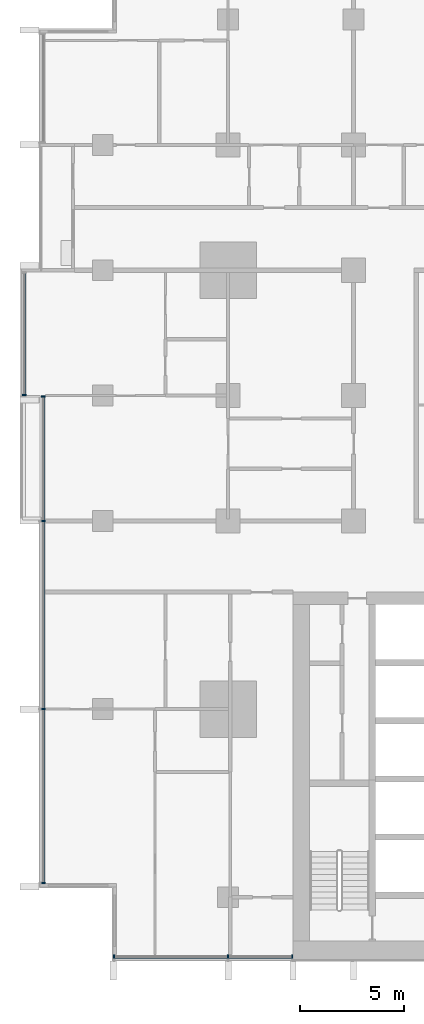
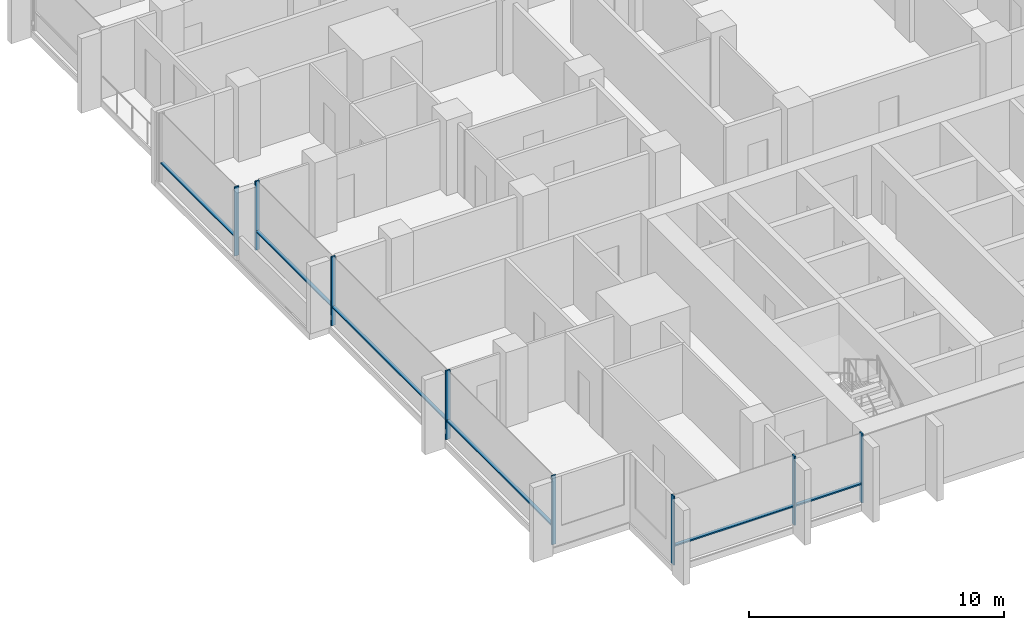
# One storey, part 2 of 18: 14 members, 3 elements without a shape of their own.
"""IFC4 building model written with IfcOpenShell, lengths in metres."""

from ifc_helpers import new_model, si_unit, direction, frame, origin, origin_2d, place, context, subcontext, project, spatial, rectangle, extrude, material, material_profile, profile_set, type_object, element, aggregate, save


model = new_model("IFC4")

# Units and contexts
model_context = context("Model", 3, precision=1e-05, world=origin(), true_north=direction((0.0, 1.0)))
body_context = subcontext(model_context, "Body", "Model", "MODEL_VIEW")
ifc_project = project(units=[si_unit("LENGTHUNIT", "METRE"), si_unit("AREAUNIT", "SQUARE_METRE"), si_unit("VOLUMEUNIT", "CUBIC_METRE"), si_unit("PLANEANGLEUNIT", "RADIAN"), si_unit("MASSUNIT", "GRAM", prefix="KILO")], contexts=[model_context])

# Site, building, storey
site_placement = place(None, origin())
site = spatial("IfcSite", under=ifc_project, at=site_placement, CompositionType="ELEMENT")
building_placement = place(site_placement, origin())
building = spatial("IfcBuilding", under=site, at=building_placement, Name="Finial Court Residences", CompositionType="ELEMENT")
storey_placement = place(building_placement, frame((0.0, 0.0, 109.89990234375)))
storey = spatial("IfcBuildingStorey", under=building, at=storey_placement, Name="L27", CompositionType="ELEMENT", Elevation=109.89990234375)

# Curtain wall, members
ifc_material = material(Name="Bronze anodised aluminium", Category="aluminium")
curtain_wall_type = type_object("IfcCurtainWallType", Name="Unitised curtain wall, lower and middle zones", PredefinedType="NOTDEFINED", material=ifc_material)
curtain_wall_1_placement = place(storey_placement, origin())
curtain_wall_1 = element("IfcCurtainWall", 1, at=curtain_wall_1_placement, inside=storey, type_object=curtain_wall_type, Name="E-L27-CW-S7", PredefinedType="NOTDEFINED")
ifc_material_profile_1 = material_profile(ifc_material, rectangle(XDim=0.199951171875, YDim=0.06494140625, at=origin_2d()), Name="CW1 mullion 65 x 200")
ifc_profile_set_1 = profile_set([ifc_material_profile_1], Name="Bronze anodised aluminium")
member_type_1 = type_object("IfcMemberType", Name="CW1 mullion 65 x 200", PredefinedType="MULLION", material=ifc_profile_set_1)
member_1_placement = place(storey_placement, frame((-21.967529296875, -25.35009765625, 0.0), z_axis=(0.0, 0.0, 1.0), x_axis=(0.0, 1.0, 0.0)))
member_1 = element("IfcMember", 2, at=member_1_placement, type_object=member_type_1, Name="CW1 mullion 1", PredefinedType="MULLION", context=body_context, shape_type="SweptSolid", body=[
    extrude(rectangle(XDim=0.199951171875, YDim=0.06494140625, at=origin_2d()), origin(), (0.0, 0.0, 1.0), 3.300048828125),
])
member_2_placement = place(storey_placement, frame((-16.5, -25.35009765625, 0.0), z_axis=(0.0, 0.0, 1.0), x_axis=(0.0, 1.0, 0.0)))
member_2 = element("IfcMember", 3, at=member_2_placement, type_object=member_type_1, Name="CW1 mullion 2", PredefinedType="MULLION", context=body_context, shape_type="SweptSolid", body=[
    extrude(rectangle(XDim=0.199951171875, YDim=0.06494140625, at=origin_2d()), origin(), (0.0, 0.0, 1.0), 3.300048828125),
])
member_3_placement = place(storey_placement, frame((-13.4326171875, -25.35009765625, 0.0), z_axis=(0.0, 0.0, 1.0), x_axis=(0.0, 1.0, 0.0)))
member_3 = element("IfcMember", 4, at=member_3_placement, type_object=member_type_1, Name="CW1 mullion 3", PredefinedType="MULLION", context=body_context, shape_type="SweptSolid", body=[
    extrude(rectangle(XDim=0.199951171875, YDim=0.06494140625, at=origin_2d()), origin(), (0.0, 0.0, 1.0), 3.300048828125),
])

curtain_wall_2_placement = place(storey_placement, origin())
curtain_wall_2 = element("IfcCurtainWall", 5, at=curtain_wall_2_placement, inside=storey, type_object=curtain_wall_type, Name="E-L27-CW-W9", PredefinedType="NOTDEFINED")
member_4_placement = place(storey_placement, frame((-25.35009765625, -21.8173828125, 0.0), z_axis=(0.0, 0.0, 1.0), x_axis=(-1.0, 0.0, 0.0)))
member_4 = element("IfcMember", 6, at=member_4_placement, type_object=member_type_1, Name="CW1 mullion 1", PredefinedType="MULLION", context=body_context, shape_type="SweptSolid", body=[
    extrude(rectangle(XDim=0.199951171875, YDim=0.06494140625, at=origin_2d()), origin(), (0.0, 0.0, 1.0), 3.300048828125),
])
member_5_placement = place(storey_placement, frame((-25.35009765625, -13.5, 0.0), z_axis=(0.0, 0.0, 1.0), x_axis=(-1.0, 0.0, 0.0)))
member_5 = element("IfcMember", 7, at=member_5_placement, type_object=member_type_1, Name="CW1 mullion 2", PredefinedType="MULLION", context=body_context, shape_type="SweptSolid", body=[
    extrude(rectangle(XDim=0.199951171875, YDim=0.06494140625, at=origin_2d()), origin(), (0.0, 0.0, 1.0), 3.300048828125),
])
member_6_placement = place(storey_placement, frame((-25.35009765625, -4.5, 0.0), z_axis=(0.0, 0.0, 1.0), x_axis=(-1.0, 0.0, 0.0)))
member_6 = element("IfcMember", 8, at=member_6_placement, type_object=member_type_1, Name="CW1 mullion 3", PredefinedType="MULLION", context=body_context, shape_type="SweptSolid", body=[
    extrude(rectangle(XDim=0.199951171875, YDim=0.06494140625, at=origin_2d()), origin(), (0.0, 0.0, 1.0), 3.300048828125),
])
member_7_placement = place(storey_placement, frame((-25.35009765625, 1.467529296875, 0.0), z_axis=(0.0, 0.0, 1.0), x_axis=(-1.0, 0.0, 0.0)))
member_7 = element("IfcMember", 9, at=member_7_placement, type_object=member_type_1, Name="CW1 mullion 4", PredefinedType="MULLION", context=body_context, shape_type="SweptSolid", body=[
    extrude(rectangle(XDim=0.199951171875, YDim=0.06494140625, at=origin_2d()), origin(), (0.0, 0.0, 1.0), 3.300048828125),
])

# Curtain wall, member
curtain_wall_3_placement = place(storey_placement, origin())
curtain_wall_3 = element("IfcCurtainWall", 10, at=curtain_wall_3_placement, inside=storey, type_object=curtain_wall_type, Name="E-L27-CW-W10", PredefinedType="NOTDEFINED")
member_8_placement = place(storey_placement, frame((-26.25, 1.532470703125, 0.0), z_axis=(0.0, 0.0, 1.0), x_axis=(-1.0, 0.0, 0.0)))
member_8 = element("IfcMember", 11, at=member_8_placement, type_object=member_type_1, Name="CW1 mullion 1", PredefinedType="MULLION", context=body_context, shape_type="SweptSolid", body=[
    extrude(rectangle(XDim=0.199951171875, YDim=0.06494140625, at=origin_2d()), origin(), (0.0, 0.0, 1.0), 3.300048828125),
])

# Member
ifc_material_profile_2 = material_profile(ifc_material, rectangle(XDim=0.14990234375, YDim=0.06494140625, at=origin_2d()), Name="CW1 transom 65 x 150")
ifc_profile_set_2 = profile_set([ifc_material_profile_2], Name="Bronze anodised aluminium")
member_type_2 = type_object("IfcMemberType", Name="CW1 transom 65 x 150", PredefinedType="USERDEFINED", material=ifc_profile_set_2)
member_9_placement = place(storey_placement, frame((-21.93505859375, -25.35009765625, 0.900146484375), z_axis=(1.0, 0.0, 0.0), x_axis=(0.0, 1.0, 0.0)))
member_9 = element("IfcMember", 12, at=member_9_placement, type_object=member_type_2, Name="CW1 transom 1.1", ObjectType="TRANSOM", PredefinedType="USERDEFINED", context=body_context, shape_type="SweptSolid", body=[
    extrude(rectangle(XDim=0.14990234375, YDim=0.06494140625, at=origin_2d()), origin(), (0.0, 0.0, 1.0), 5.402587890625),
])

member_10_placement = place(storey_placement, frame((-16.467529296875, -25.35009765625, 0.900146484375), z_axis=(1.0, 0.0, 0.0), x_axis=(0.0, 1.0, 0.0)))
member_10 = element("IfcMember", 13, at=member_10_placement, type_object=member_type_2, Name="CW1 transom 2.1", ObjectType="TRANSOM", PredefinedType="USERDEFINED", context=body_context, shape_type="SweptSolid", body=[
    extrude(rectangle(XDim=0.14990234375, YDim=0.06494140625, at=origin_2d()), origin(), (0.0, 0.0, 1.0), 3.00244140625),
])

aggregate(curtain_wall_1, [member_1, member_2, member_3, member_9, member_10])

member_11_placement = place(storey_placement, frame((-25.35009765625, -21.784912109375, 0.900146484375), z_axis=(0.0, 1.0, 0.0), x_axis=(-1.0, 0.0, 0.0)))
member_11 = element("IfcMember", 14, at=member_11_placement, type_object=member_type_2, Name="CW1 transom 1.1", ObjectType="TRANSOM", PredefinedType="USERDEFINED", context=body_context, shape_type="SweptSolid", body=[
    extrude(rectangle(XDim=0.14990234375, YDim=0.06494140625, at=origin_2d()), origin(), (0.0, 0.0, 1.0), 8.25244140625),
])

member_12_placement = place(storey_placement, frame((-25.35009765625, -13.467529296875, 0.900146484375), z_axis=(0.0, 1.0, 0.0), x_axis=(-1.0, 0.0, 0.0)))
member_12 = element("IfcMember", 15, at=member_12_placement, type_object=member_type_2, Name="CW1 transom 2.1", ObjectType="TRANSOM", PredefinedType="USERDEFINED", context=body_context, shape_type="SweptSolid", body=[
    extrude(rectangle(XDim=0.14990234375, YDim=0.06494140625, at=origin_2d()), origin(), (0.0, 0.0, 1.0), 8.93505859375),
])

member_13_placement = place(storey_placement, frame((-25.35009765625, -4.467529296875, 0.900146484375), z_axis=(0.0, 1.0, 0.0), x_axis=(-1.0, 0.0, 0.0)))
member_13 = element("IfcMember", 16, at=member_13_placement, type_object=member_type_2, Name="CW1 transom 3.1", ObjectType="TRANSOM", PredefinedType="USERDEFINED", context=body_context, shape_type="SweptSolid", body=[
    extrude(rectangle(XDim=0.14990234375, YDim=0.06494140625, at=origin_2d()), origin(), (0.0, 0.0, 1.0), 5.902587890625),
])

aggregate(curtain_wall_2, [member_4, member_5, member_6, member_7, member_11, member_12, member_13])

member_14_placement = place(storey_placement, frame((-26.25, 1.56494140625, 0.900146484375), z_axis=(0.0, 1.0, 0.0), x_axis=(-1.0, 0.0, 0.0)))
member_14 = element("IfcMember", 17, at=member_14_placement, type_object=member_type_2, Name="CW1 transom 1.1", ObjectType="TRANSOM", PredefinedType="USERDEFINED", context=body_context, shape_type="SweptSolid", body=[
    extrude(rectangle(XDim=0.14990234375, YDim=0.06494140625, at=origin_2d()), origin(), (0.0, 0.0, 1.0), 5.795166015625),
])

aggregate(curtain_wall_3, [member_8, member_14])

save(model, "model.ifc")
